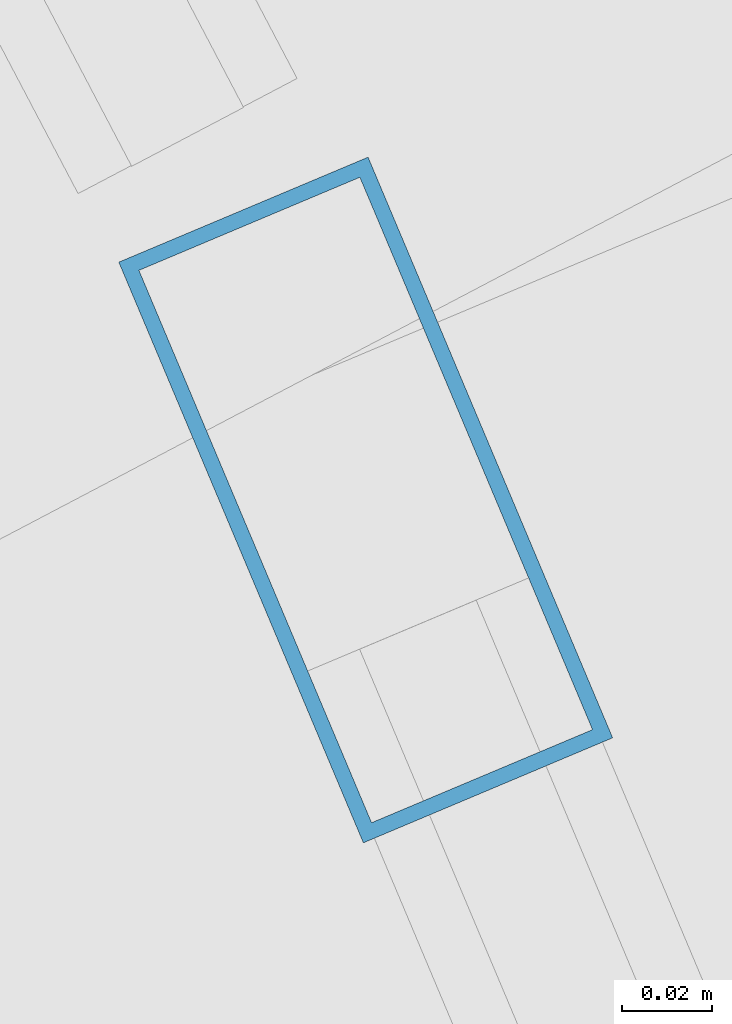
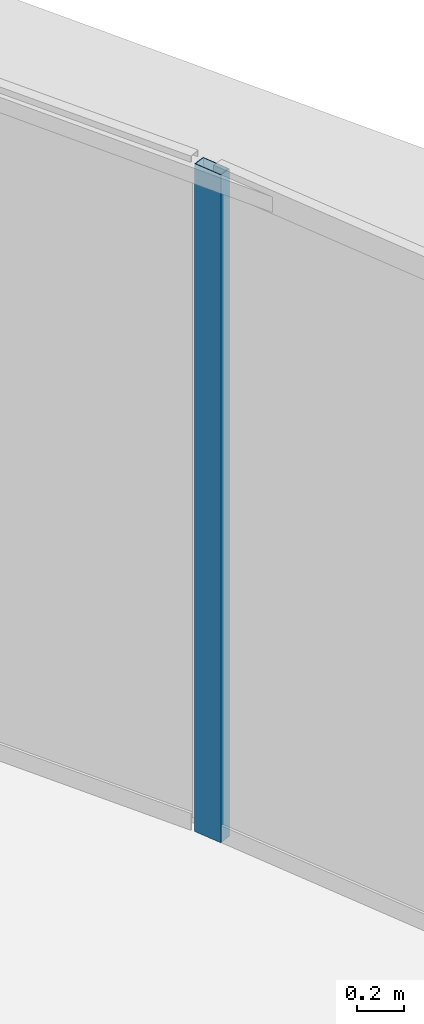
# One storey, part 23 of 34: 1 member, 1 element without a shape of its own.
"""IFC4 building model written with IfcOpenShell, lengths in metres."""

from ifc_helpers import new_model, si_unit, direction, frame, origin, origin_2d, place, context, subcontext, project, spatial, hollow_rectangle, extrude, source, transform, mapped, material, layer, layer_set, material_profile, profile_set, type_object, element, aggregate, save


model = new_model("IFC4")

# Units and contexts
model_context = context("Model", 3, precision=1e-05, world=origin(), true_north=direction((0.0, 1.0)))
body_context = subcontext(model_context, "Body", "Model", "MODEL_VIEW")
ifc_project = project(units=[si_unit("LENGTHUNIT", "METRE"), si_unit("AREAUNIT", "SQUARE_METRE"), si_unit("VOLUMEUNIT", "CUBIC_METRE"), si_unit("PLANEANGLEUNIT", "RADIAN"), si_unit("MASSUNIT", "GRAM", prefix="KILO"), si_unit("THERMODYNAMICTEMPERATUREUNIT", "KELVIN"), si_unit("POWERUNIT", "WATT")], contexts=[model_context])

# Site, building, storey
site_placement = place(None, origin())
site = spatial("IfcSite", under=ifc_project, at=site_placement, CompositionType="ELEMENT")
building_placement = place(site_placement, origin())
building = spatial("IfcBuilding", under=site, at=building_placement, Name="Yunzhuo Pagoda Commons", CompositionType="ELEMENT")
storey_placement = place(building_placement, frame((0.0, 0.0, 229.610107421875)))
storey = spatial("IfcBuildingStorey", under=building, at=storey_placement, Name="L57", CompositionType="ELEMENT", Elevation=229.610107421875)

# Curtain wall, member
ifc_material = material(Name="Anodized aluminium 6063-T6", Category="aluminium")
ifc_layer = layer(ifc_material, 0.139892578125)
ifc_layer_set = layer_set([ifc_layer], Name="Anodized aluminium 6063-T6")
curtain_wall_type = type_object("IfcCurtainWallType", Name="CW-HI High-Zone Ribbon Curtain Wall", PredefinedType="NOTDEFINED", material=ifc_layer_set)
curtain_wall_placement = place(storey_placement, origin())
curtain_wall = element("IfcCurtainWall", 1, at=curtain_wall_placement, inside=storey, type_object=curtain_wall_type, Name="L57 curtain wall CW-L57-F2B2", PredefinedType="NOTDEFINED")
ifc_material_profile = material_profile(ifc_material, hollow_rectangle(XDim=0.06005859375, YDim=0.139892578125, WallThickness=0.00341796875, at=origin_2d()), Name="Anodized aluminium 6063-T6")
ifc_profile_set = profile_set([ifc_material_profile], Name="Anodized aluminium 6063-T6")
member_type = type_object("IfcMemberType", Name="CW-HI-M Mullion RHS 140x60x3.5", PredefinedType="MULLION", material=ifc_profile_set)
shared_shape = source(origin(), body_context, "Body", "SweptSolid", [
    extrude(hollow_rectangle(XDim=0.06005859375, YDim=0.139892578125, WallThickness=0.00341796875, at=origin_2d()), origin(), (0.0, 0.0, 1.0), 3.469970703125),
])
member_placement = place(storey_placement, frame((76.85595703125, 43.04443359375, 0.0), z_axis=(0.0, 0.0, 1.0), x_axis=(-0.92158893956, -0.388167266112, 0.0)))
member = element("IfcMember", 2, at=member_placement, type_object=member_type, Name="CW mullion 2", PredefinedType="MULLION", context=body_context, shape_type="MappedRepresentation", body=[
    mapped(shared_shape, transform((0.0, 0.0, 0.0), scale=1.0)),
])
aggregate(curtain_wall, [member])

save(model, "model.ifc")
